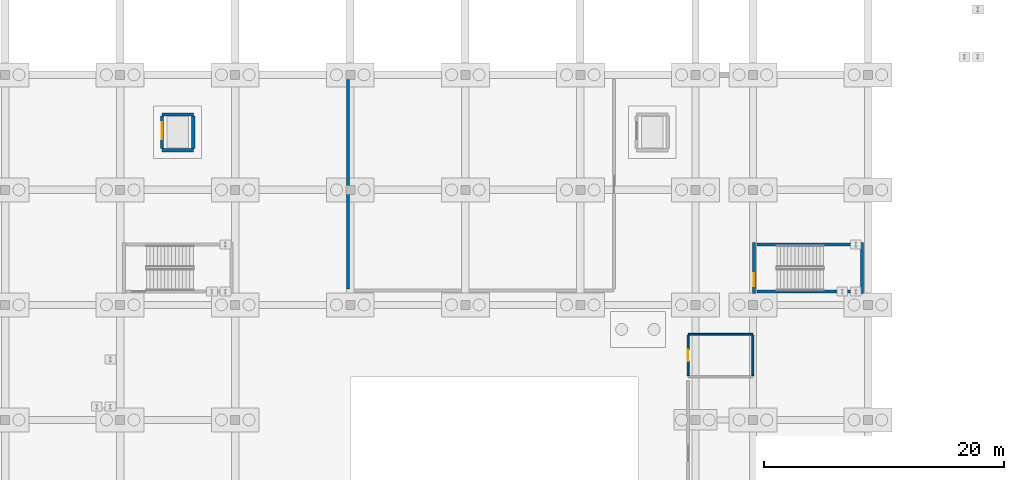
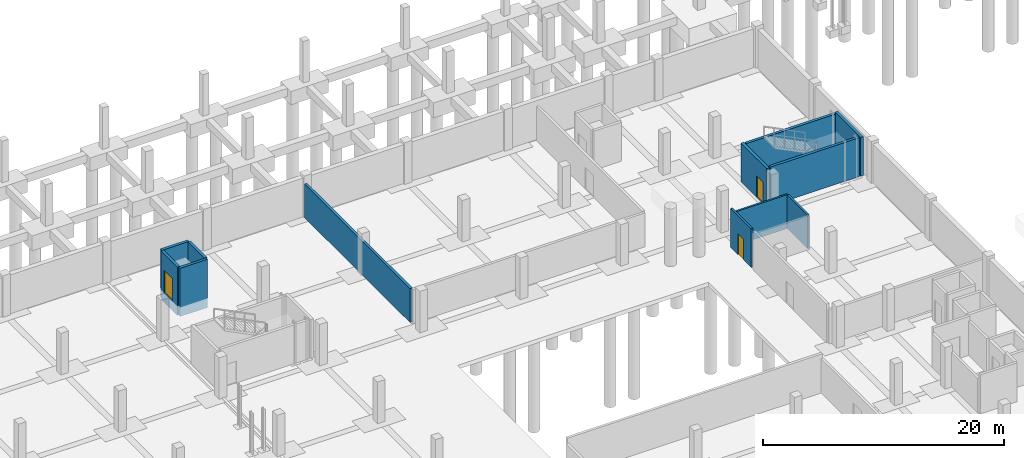
# One storey, part 41 of 54: 12 walls, 3 doors, 3 openings.
"""IFC4 building model written with IfcOpenShell, lengths in metres."""

from ifc_helpers import new_model, si_unit, direction, frame, frame_2d, origin, place, context, subcontext, project, spatial, rectangle, extrude, material, layer, layer_set, type_object, element, fill, save


model = new_model("IFC4")

# Units and contexts
model_context = context("Model", 3, precision=1e-05, world=origin(), true_north=direction((0.0, 1.0)))
body_context = subcontext(model_context, "Body", "Model", "MODEL_VIEW")
ifc_project = project(units=[si_unit("LENGTHUNIT", "METRE"), si_unit("AREAUNIT", "SQUARE_METRE"), si_unit("VOLUMEUNIT", "CUBIC_METRE"), si_unit("PLANEANGLEUNIT", "RADIAN"), si_unit("MASSUNIT", "GRAM", prefix="KILO")], contexts=[model_context])

# Site, building, storey
site_placement = place(None, origin())
site = spatial("IfcSite", under=ifc_project, at=site_placement, CompositionType="ELEMENT")
building_placement = place(site_placement, origin())
building = spatial("IfcBuilding", under=site, at=building_placement, Name="Zevrakil Square Congress Hotel", CompositionType="ELEMENT")
storey_placement = place(building_placement, frame((0.0, 0.0, -8.39990234375)))
storey = spatial("IfcBuildingStorey", under=building, at=storey_placement, Name="B2", CompositionType="ELEMENT", Elevation=-8.39990234375)

# Walls
ifc_material_1 = material(Name="Concrete C35/45", Category="concrete")
ifc_layer_1 = layer(ifc_material_1, 0.239990234375)
ifc_layer_set_1 = layer_set([ifc_layer_1], Name="Concrete C35/45")
wall_type_1 = type_object("IfcWallType", Name="WAL-COMP-240", PredefinedType="SOLIDWALL", material=ifc_layer_set_1)
wall_1_placement = place(storey_placement, frame((74.199951171875, 85.324951171875, 0.0), z_axis=(0.0, 0.0, 1.0), x_axis=(0.0, 1.0, 0.0)))
element("IfcWall", 1, at=wall_1_placement, inside=storey, type_object=wall_type_1, Name="B2 interior partition PW-B2-0093", PredefinedType="SOLIDWALL", context=body_context, shape_type="SweptSolid", body=[
    extrude(rectangle(XDim=17.5, YDim=0.239990234375, at=frame_2d((8.75, 0.0))), origin(), (0.0, 0.0, 1.0), 3.414794921875),
])
ifc_material_2 = material(Name="Gypsum Acoustic Stud Partition")
ifc_layer_2 = layer(ifc_material_2, 0.159912109375)
ifc_layer_set_2 = layer_set([ifc_layer_2], Name="Gypsum Acoustic Stud Partition")
wall_type_2 = type_object("IfcWallType", Name="WAL-CORR-160", PredefinedType="PARTITIONING", material=ifc_layer_set_2)
wall_2_placement = place(storey_placement, frame((102.60009765625, 81.550048828125, 0.0), z_axis=(0.0, 0.0, 1.0), x_axis=(1.0, 0.0, 0.0)))
element("IfcWall", 2, at=wall_2_placement, inside=storey, type_object=wall_type_2, Name="B2 interior partition PW-B2-0082", PredefinedType="PARTITIONING", context=body_context, shape_type="SweptSolid", body=[
    extrude(rectangle(XDim=5.39990234375, YDim=0.159912109375, at=frame_2d((2.699951171875, 0.0))), origin(), (0.0, 0.0, 1.0), 3.414794921875),
])

# Wall, opening, door
wall_3_placement = place(storey_placement, frame((102.60009765625, 78.0849609375, 0.0), z_axis=(0.0, 0.0, 1.0), x_axis=(0.0, 1.0, 0.0)))
wall_3 = element("IfcWall", 3, at=wall_3_placement, inside=storey, type_object=wall_type_2, Name="B2 interior partition PW-B2-0083", PredefinedType="PARTITIONING", context=body_context, shape_type="SweptSolid", body=[
    extrude(rectangle(XDim=3.380126953125, YDim=0.159912109375, at=frame_2d((1.68994140625, 0.0))), origin(), (0.0, 0.0, 1.0), 3.929931640625),
])
opening_1_placement = place(wall_3_placement, frame((1.22998046875, 0.0, 0.0)))
opening_1 = element("IfcOpeningElement", 4, at=opening_1_placement, cuts=wall_3, Name="Opening ID-07", PredefinedType="OPENING", context=body_context, shape_type="SweptSolid", body=[
    extrude(rectangle(XDim=0.919921875, YDim=2.10009765625, at=frame_2d((0.4599609375, 1.050048828125))), frame((0.0, 0.08984375, 0.0), z_axis=(0.0, -1.0, 0.0), x_axis=(1.0, 0.0, 0.0)), (0.0, 0.0, 1.0), 0.179931640625),
])
ifc_material_3 = material(Name="Accessible Restroom Door")
door_type_1 = type_object("IfcDoorType", Name="DOR-WC-092", OperationType="NOTDEFINED", PredefinedType="DOOR", material=ifc_material_3)
door_1_placement = place(opening_1_placement, origin())
door_1 = element("IfcDoor", 5, at=door_1_placement, inside=storey, type_object=door_type_1, Name="B2 interior door 30", OperationType="SINGLE_SWING_RIGHT", OverallHeight=2.10009765625, OverallWidth=0.919921875, PredefinedType="DOOR", context=body_context, shape_type="SweptSolid", body=[
    extrude(rectangle(XDim=0.919921875, YDim=2.10009765625, at=frame_2d((0.4599609375, 1.050048828125))), frame((0.0, 0.02490234375, 0.0), z_axis=(0.0, -1.0, 0.0), x_axis=(1.0, 0.0, 0.0)), (0.0, 0.0, 1.0), 0.050048828125),
])
fill(opening_1, door_1)

# Wall
wall_4_placement = place(storey_placement, frame((108.0, 78.0849609375, 0.0), z_axis=(0.0, 0.0, 1.0), x_axis=(0.0, 1.0, 0.0)))
element("IfcWall", 6, at=wall_4_placement, inside=storey, type_object=wall_type_2, Name="B2 interior partition PW-B2-0084", PredefinedType="PARTITIONING", context=body_context, shape_type="SweptSolid", body=[
    extrude(rectangle(XDim=3.380126953125, YDim=0.159912109375, at=frame_2d((1.68994140625, 0.0))), origin(), (0.0, 0.0, 1.0), 3.414794921875),
])

# Wall, opening, door
ifc_material_4 = material(Name="Concrete C40/50", Category="concrete")
ifc_layer_3 = layer(ifc_material_4, 0.260009765625)
ifc_layer_set_3 = layer_set([ifc_layer_3], Name="Concrete C40/50")
wall_type_3 = type_object("IfcWallType", Name="WAL-SHAFT-260", PredefinedType="SHEAR", material=ifc_layer_set_3)
wall_5_placement = place(storey_placement, frame((108.10498046875, 84.93994140625, 0.0), z_axis=(0.0, 0.0, 1.0), x_axis=(0.0, 1.0, 0.0)))
wall_5 = element("IfcWall", 7, at=wall_5_placement, inside=storey, type_object=wall_type_3, Name="B2 ST06 stair shaft W wall", PredefinedType="SHEAR", context=body_context, shape_type="SweptSolid", body=[
    extrude(rectangle(XDim=4.27001953125, YDim=0.260009765625, at=frame_2d((2.135009765625, 0.0))), origin(), (0.0, 0.0, 1.0), 3.929931640625),
])
opening_2_placement = place(wall_5_placement, frame((0.610107421875, 0.0, 0.0)))
opening_2 = element("IfcOpeningElement", 8, at=opening_2_placement, cuts=wall_5, Name="Opening SD-ST06", PredefinedType="OPENING", context=body_context, shape_type="SweptSolid", body=[
    extrude(rectangle(XDim=1.10009765625, YDim=2.199951171875, at=frame_2d((0.550048828125, 1.10009765625))), frame((0.0, 0.14013671875, 0.0), z_axis=(0.0, -1.0, 0.0), x_axis=(1.0, 0.0, 0.0)), (0.0, 0.0, 1.0), 0.280029296875),
])
ifc_material_5 = material(Name="Steel S355 Fire-Rated Door", Category="steel")
door_type_2 = type_object("IfcDoorType", Name="DOR-STAIR-FD90-110", OperationType="NOTDEFINED", PredefinedType="DOOR", material=ifc_material_5)
door_2_placement = place(opening_2_placement, origin())
door_2 = element("IfcDoor", 9, at=door_2_placement, inside=storey, type_object=door_type_2, Name="B2 ST06 protected stair fire door", OperationType="SINGLE_SWING_LEFT", OverallHeight=2.199951171875, OverallWidth=1.10009765625, PredefinedType="DOOR", context=body_context, shape_type="SweptSolid", body=[
    extrude(rectangle(XDim=1.10009765625, YDim=2.199951171875, at=frame_2d((0.550048828125, 1.10009765625))), frame((0.0, 0.02490234375, 0.0), z_axis=(0.0, -1.0, 0.0), x_axis=(1.0, 0.0, 0.0)), (0.0, 0.0, 1.0), 0.050048828125),
])
fill(opening_2, door_2)

# Walls
wall_6_placement = place(storey_placement, frame((117.094970703125, 84.93994140625, 0.0), z_axis=(0.0, 0.0, 1.0), x_axis=(0.0, 1.0, 0.0)))
element("IfcWall", 10, at=wall_6_placement, inside=storey, type_object=wall_type_3, Name="B2 ST06 stair shaft E wall", PredefinedType="SHEAR", context=body_context, shape_type="SweptSolid", body=[
    extrude(rectangle(XDim=4.27001953125, YDim=0.260009765625, at=frame_2d((2.135009765625, 0.0))), origin(), (0.0, 0.0, 1.0), 3.929931640625),
])
for number, where, z_axis, x_axis, name in (
    (11, (108.340087890625, 85.10498046875, 0.0), (0.0, 0.0, 1.0), (1.0, 0.0, 0.0), "B2 ST06 stair shaft S wall"),
    (12, (108.340087890625, 89.044921875, 0.0), (0.0, 0.0, 1.0), (1.0, 0.0, 0.0), "B2 ST06 stair shaft N wall"),
):
    element("IfcWall", number, at=place(storey_placement, frame(where, z_axis=z_axis, x_axis=x_axis)), inside=storey, type_object=wall_type_3, Name=name, PredefinedType="SHEAR", context=body_context, shape_type="SweptSolid", body=[
        extrude(rectangle(XDim=8.52001953125, YDim=0.260009765625, at=frame_2d((4.260009765625, 0.0))), origin(), (0.0, 0.0, 1.0), 3.929931640625),
    ])
for number, where, z_axis, x_axis, name in (
    (13, (58.699951171875, 96.89990234375, -0.9501953125), (0.0, 0.0, 1.0), (1.0, 0.0, 0.0), "B2 SL2 lift shaft wall"),
    (14, (58.699951171875, 99.89990234375, -0.9501953125), (0.0, 0.0, 1.0), (1.0, 0.0, 0.0), "B2 SL2 lift shaft wall"),
):
    element("IfcWall", number, at=place(storey_placement, frame(where, z_axis=z_axis, x_axis=x_axis)), inside=storey, type_object=wall_type_3, Name=name, PredefinedType="SHEAR", context=body_context, shape_type="SweptSolid", body=[
        extrude(rectangle(XDim=2.60009765625, YDim=0.260009765625, at=frame_2d((1.300048828125, 0.0))), origin(), (0.0, 0.0, 1.0), 4.880126953125),
    ])

# Wall, opening, door
wall_7_placement = place(storey_placement, frame((58.699951171875, 97.0400390625, -0.9501953125), z_axis=(0.0, 0.0, 1.0), x_axis=(0.0, 1.0, 0.0)))
wall_7 = element("IfcWall", 15, at=wall_7_placement, inside=storey, type_object=wall_type_3, Name="B2 SL2 lift shaft wall", PredefinedType="SHEAR", context=body_context, shape_type="SweptSolid", body=[
    extrude(rectangle(XDim=2.719970703125, YDim=0.260009765625, at=frame_2d((1.35986328125, 0.0))), origin(), (0.0, 0.0, 1.0), 4.880126953125),
])
opening_3_placement = place(wall_7_placement, frame((0.800048828125, 0.0, 0.949951171875)))
opening_3 = element("IfcOpeningElement", 16, at=opening_3_placement, cuts=wall_7, Name="Opening LD-SL2", PredefinedType="OPENING", context=body_context, shape_type="SweptSolid", body=[
    extrude(rectangle(XDim=1.39990234375, YDim=2.300048828125, at=frame_2d((0.699951171875, 1.14990234375))), frame((0.0, 0.14013671875, 0.0), z_axis=(0.0, -1.0, 0.0), x_axis=(1.0, 0.0, 0.0)), (0.0, 0.0, 1.0), 0.280029296875),
])
ifc_material_6 = material(Name="Goods Service Sliding Landing Door")
door_type_3 = type_object("IfcDoorType", Name="DOR-LIFT-LD140", OperationType="NOTDEFINED", PredefinedType="DOOR", material=ifc_material_6)
door_3_placement = place(opening_3_placement, origin())
door_3 = element("IfcDoor", 17, at=door_3_placement, inside=storey, type_object=door_type_3, Name="B2 SL2 sliding lift landing door", OperationType="SLIDING_TO_RIGHT", OverallHeight=2.300048828125, OverallWidth=1.39990234375, PredefinedType="DOOR", context=body_context, shape_type="SweptSolid", body=[
    extrude(rectangle(XDim=1.39990234375, YDim=2.300048828125, at=frame_2d((0.699951171875, 1.14990234375))), frame((0.0, 0.02490234375, 0.0), z_axis=(0.0, -1.0, 0.0), x_axis=(1.0, 0.0, 0.0)), (0.0, 0.0, 1.0), 0.050048828125),
])
fill(opening_3, door_3)

# Wall
wall_8_placement = place(storey_placement, frame((61.300048828125, 97.0400390625, -0.9501953125), z_axis=(0.0, 0.0, 1.0), x_axis=(0.0, 1.0, 0.0)))
element("IfcWall", 18, at=wall_8_placement, inside=storey, type_object=wall_type_3, Name="B2 SL2 lift shaft wall", PredefinedType="SHEAR", context=body_context, shape_type="SweptSolid", body=[
    extrude(rectangle(XDim=2.719970703125, YDim=0.260009765625, at=frame_2d((1.35986328125, 0.0))), origin(), (0.0, 0.0, 1.0), 4.880126953125),
])

save(model, "model.ifc")
